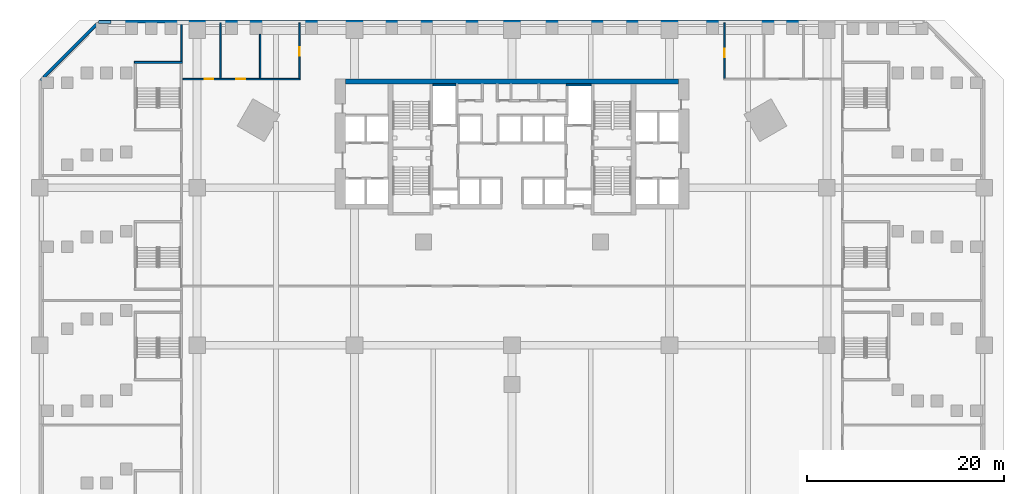
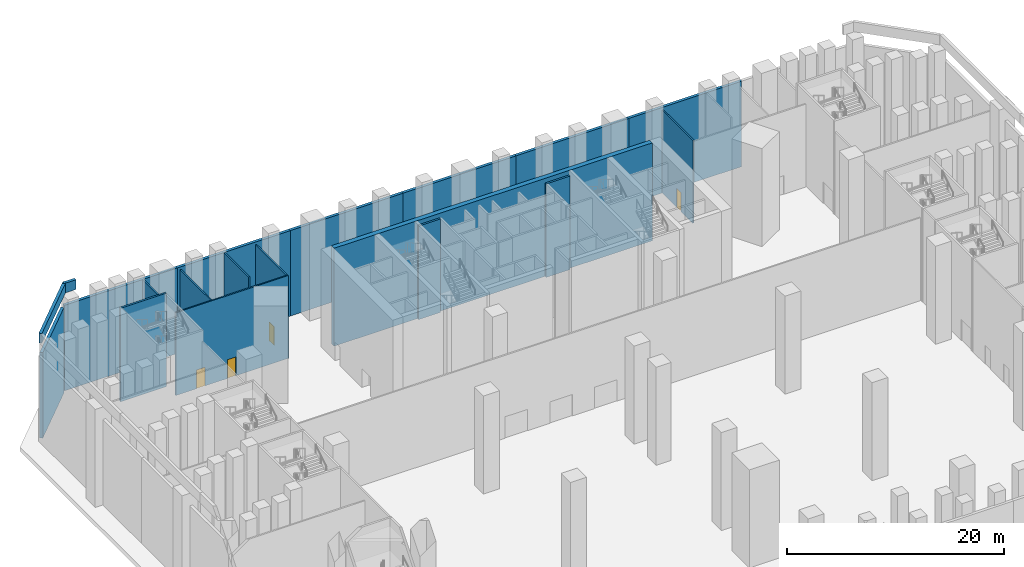
# One storey, part 11 of 31: 19 walls, 4 doors, 4 openings.
"""IFC4 building model written with IfcOpenShell, lengths in metres."""

from ifc_helpers import new_model, si_unit, direction, frame, frame_2d, origin, place, context, subcontext, project, spatial, rectangle, extrude, material, layer, layer_set, type_object, element, fill, save


model = new_model("IFC4")

# Units and contexts
model_context = context("Model", 3, precision=1e-05, world=origin(), true_north=direction((0.0, 1.0)))
body_context = subcontext(model_context, "Body", "Model", "MODEL_VIEW")
ifc_project = project(units=[si_unit("LENGTHUNIT", "METRE"), si_unit("AREAUNIT", "SQUARE_METRE"), si_unit("VOLUMEUNIT", "CUBIC_METRE"), si_unit("PLANEANGLEUNIT", "RADIAN"), si_unit("MASSUNIT", "GRAM", prefix="KILO")], contexts=[model_context])

# Site, building, storey
site_placement = place(None, origin())
site = spatial("IfcSite", under=ifc_project, at=site_placement, CompositionType="ELEMENT")
building_placement = place(site_placement, origin())
building = spatial("IfcBuilding", under=site, at=building_placement, Name="Calabash Gate Tower", CompositionType="ELEMENT")
storey_placement = place(building_placement, frame((0.0, 0.0, 9.0)))
storey = spatial("IfcBuildingStorey", under=building, at=storey_placement, Name="L01", CompositionType="ELEMENT", Elevation=9.0)

# Wall
ifc_material_1 = material(Name="Concrete C80/95", Category="concrete")
ifc_layer_1 = layer(ifc_material_1, 0.5)
ifc_layer_set_1 = layer_set([ifc_layer_1], Name="Core wall 500 Concrete C80/95")
wall_type_1 = type_object("IfcWallType", Name="Core wall 500 Concrete C80/95", PredefinedType="SHEAR", material=ifc_layer_set_1)
wall_1_placement = place(storey_placement, frame((-16.89990234375, 18.802490234375, 0.0), z_axis=(0.0, 0.0, 1.0), x_axis=(1.0, 0.0, 0.0)))
element("IfcWall", 1, at=wall_1_placement, inside=storey, type_object=wall_type_1, Name="Core wall Z0-N L01", PredefinedType="SHEAR", context=body_context, shape_type="SweptSolid", body=[
    extrude(rectangle(XDim=33.7998046875, YDim=0.5, at=frame_2d((16.89990234375, 0.0))), origin(), (0.0, 0.0, 1.0), 11.0),
])

# Wall, openings, doors
ifc_material_2 = material(Name="Gypsum board on steel studs, mineral wool", Category="steel")
ifc_layer_2 = layer(ifc_material_2, 0.14990234375)
ifc_layer_set_2 = layer_set([ifc_layer_2], Name="Partition 150 gypsum board")
wall_type_2 = type_object("IfcWallType", Name="Partition 150 gypsum board", PredefinedType="PARTITIONING", material=ifc_layer_set_2)
wall_2_placement = place(storey_placement, frame((-33.4599609375, 19.050048828125, 0.0), z_axis=(0.0, 0.0, 1.0), x_axis=(1.0, 0.0, 0.0)))
wall_2 = element("IfcWall", 2, at=wall_2_placement, inside=storey, type_object=wall_type_2, Name="Partition", PredefinedType="PARTITIONING", context=body_context, shape_type="SweptSolid", body=[
    extrude(rectangle(XDim=11.93505859375, YDim=0.14990234375, at=frame_2d((5.967529296875, 0.0))), origin(), (0.0, 0.0, 1.0), 9.300048828125),
])
opening_1_placement = place(wall_2_placement, frame((2.2109375, 0.0, 0.0)))
opening_1 = element("IfcOpeningElement", 3, at=opening_1_placement, cuts=wall_2, Name="Opening L01-038", PredefinedType="OPENING", context=body_context, shape_type="SweptSolid", body=[
    extrude(rectangle(XDim=0.89990234375, YDim=2.10009765625, at=frame_2d((0.449951171875, 1.050048828125))), frame((0.0, 0.0849609375, 0.0), z_axis=(0.0, -1.0, 0.0), x_axis=(1.0, 0.0, 0.0)), (0.0, 0.0, 1.0), 0.169921875),
])
opening_2_placement = place(wall_2_placement, frame((5.4599609375, 0.0, 0.0)))
opening_2 = element("IfcOpeningElement", 4, at=opening_2_placement, cuts=wall_2, Name="Opening L01-039", PredefinedType="OPENING", context=body_context, shape_type="SweptSolid", body=[
    extrude(rectangle(XDim=0.89990234375, YDim=2.10009765625, at=frame_2d((0.449951171875, 1.050048828125))), frame((0.0, 0.0849609375, 0.0), z_axis=(0.0, -1.0, 0.0), x_axis=(1.0, 0.0, 0.0)), (0.0, 0.0, 1.0), 0.169921875),
])
ifc_material_3 = material(Name="Steel fire door set with fire-resisting glazing", Category="steel")
door_type = type_object("IfcDoorType", Name="Fire door D13 900x2100 FD30", OperationType="NOTDEFINED", PredefinedType="DOOR", material=ifc_material_3)
door_1_placement = place(opening_1_placement, origin())
door_1 = element("IfcDoor", 5, at=door_1_placement, inside=storey, type_object=door_type, Name="Men's WC door", OperationType="SINGLE_SWING_LEFT", OverallHeight=2.10009765625, OverallWidth=0.89990234375, PredefinedType="DOOR", context=body_context, shape_type="SweptSolid", body=[
    extrude(rectangle(XDim=0.89990234375, YDim=2.10009765625, at=frame_2d((0.449951171875, 1.050048828125))), frame((0.0, 0.02490234375, 0.0), z_axis=(0.0, -1.0, 0.0), x_axis=(1.0, 0.0, 0.0)), (0.0, 0.0, 1.0), 0.050048828125),
])
fill(opening_1, door_1)
door_2_placement = place(opening_2_placement, origin())
door_2 = element("IfcDoor", 6, at=door_2_placement, inside=storey, type_object=door_type, Name="Women's WC door", OperationType="SINGLE_SWING_LEFT", OverallHeight=2.10009765625, OverallWidth=0.89990234375, PredefinedType="DOOR", context=body_context, shape_type="SweptSolid", body=[
    extrude(rectangle(XDim=0.89990234375, YDim=2.10009765625, at=frame_2d((0.449951171875, 1.050048828125))), frame((0.0, 0.02490234375, 0.0), z_axis=(0.0, -1.0, 0.0), x_axis=(1.0, 0.0, 0.0)), (0.0, 0.0, 1.0), 0.050048828125),
])
fill(opening_2, door_2)

# Walls
wall_3_placement = place(storey_placement, frame((-29.60009765625, 19.125, 0.0), z_axis=(0.0, 0.0, 1.0), x_axis=(0.0, 1.0, 0.0)))
element("IfcWall", 7, at=wall_3_placement, inside=storey, type_object=wall_type_2, Name="Partition", PredefinedType="PARTITIONING", context=body_context, shape_type="SweptSolid", body=[
    extrude(rectangle(XDim=5.64501953125, YDim=0.14990234375, at=frame_2d((2.822509765625, 0.0))), origin(), (0.0, 0.0, 1.0), 9.300048828125),
])
wall_4_placement = place(storey_placement, frame((-25.60009765625, 19.125, 0.0), z_axis=(0.0, 0.0, 1.0), x_axis=(0.0, 1.0, 0.0)))
element("IfcWall", 8, at=wall_4_placement, inside=storey, type_object=wall_type_2, Name="Partition", PredefinedType="PARTITIONING", context=body_context, shape_type="SweptSolid", body=[
    extrude(rectangle(XDim=4.47509765625, YDim=0.14990234375, at=frame_2d((2.237548828125, 0.0))), origin(), (0.0, 0.0, 1.0), 10.5),
])

# Wall, opening, door
wall_5_placement = place(storey_placement, frame((-21.60009765625, 19.125, 0.0), z_axis=(0.0, 0.0, 1.0), x_axis=(0.0, 1.0, 0.0)))
wall_5 = element("IfcWall", 9, at=wall_5_placement, inside=storey, type_object=wall_type_2, Name="Partition", PredefinedType="PARTITIONING", context=body_context, shape_type="SweptSolid", body=[
    extrude(rectangle(XDim=5.64501953125, YDim=0.14990234375, at=frame_2d((2.822509765625, 0.0))), origin(), (0.0, 0.0, 1.0), 9.300048828125),
])
opening_3_placement = place(wall_5_placement, frame((2.27490234375, 0.0, 0.0)))
opening_3 = element("IfcOpeningElement", 10, at=opening_3_placement, cuts=wall_5, Name="Opening L01-040", PredefinedType="OPENING", context=body_context, shape_type="SweptSolid", body=[
    extrude(rectangle(XDim=0.89990234375, YDim=2.10009765625, at=frame_2d((0.449951171875, 1.050048828125))), frame((0.0, 0.0849609375, 0.0), z_axis=(0.0, -1.0, 0.0), x_axis=(1.0, 0.0, 0.0)), (0.0, 0.0, 1.0), 0.169921875),
])
door_3_placement = place(opening_3_placement, origin())
door_3 = element("IfcDoor", 11, at=door_3_placement, inside=storey, type_object=door_type, Name="Accessible WC door", OperationType="SINGLE_SWING_RIGHT", OverallHeight=2.10009765625, OverallWidth=0.89990234375, PredefinedType="DOOR", context=body_context, shape_type="SweptSolid", body=[
    extrude(rectangle(XDim=0.89990234375, YDim=2.10009765625, at=frame_2d((0.449951171875, 1.050048828125))), frame((0.0, 0.02490234375, 0.0), z_axis=(0.0, -1.0, 0.0), x_axis=(1.0, 0.0, 0.0)), (0.0, 0.0, 1.0), 0.050048828125),
])
fill(opening_3, door_3)

wall_6_placement = place(storey_placement, frame((21.60009765625, 19.125, 0.0), z_axis=(0.0, 0.0, 1.0), x_axis=(0.0, 1.0, 0.0)))
wall_6 = element("IfcWall", 12, at=wall_6_placement, inside=storey, type_object=wall_type_2, Name="Partition", PredefinedType="PARTITIONING", context=body_context, shape_type="SweptSolid", body=[
    extrude(rectangle(XDim=5.64501953125, YDim=0.14990234375, at=frame_2d((2.822509765625, 0.0))), origin(), (0.0, 0.0, 1.0), 9.300048828125),
])
opening_4_placement = place(wall_6_placement, frame((2.125, 0.0, 0.0)))
opening_4 = element("IfcOpeningElement", 13, at=opening_4_placement, cuts=wall_6, Name="Opening L01-041", PredefinedType="OPENING", context=body_context, shape_type="SweptSolid", body=[
    extrude(rectangle(XDim=0.89990234375, YDim=2.10009765625, at=frame_2d((0.449951171875, 1.050048828125))), frame((0.0, 0.0849609375, 0.0), z_axis=(0.0, -1.0, 0.0), x_axis=(1.0, 0.0, 0.0)), (0.0, 0.0, 1.0), 0.169921875),
])
door_4_placement = place(opening_4_placement, origin())
door_4 = element("IfcDoor", 14, at=door_4_placement, inside=storey, type_object=door_type, Name="Men's WC door", OperationType="SINGLE_SWING_RIGHT", OverallHeight=2.10009765625, OverallWidth=0.89990234375, PredefinedType="DOOR", context=body_context, shape_type="SweptSolid", body=[
    extrude(rectangle(XDim=0.89990234375, YDim=2.10009765625, at=frame_2d((0.449951171875, 1.050048828125))), frame((0.0, 0.02490234375, 0.0), z_axis=(0.0, -1.0, 0.0), x_axis=(1.0, 0.0, 0.0)), (0.0, 0.0, 1.0), 0.050048828125),
])
fill(opening_4, door_4)

# Walls
wall_7_placement = place(storey_placement, frame((-33.60009765625, 20.889892578125, 0.0), z_axis=(0.0, 0.0, 1.0), x_axis=(0.0, 1.0, 0.0)))
element("IfcWall", 15, at=wall_7_placement, inside=storey, type_object=wall_type_2, Name="Partition", PredefinedType="PARTITIONING", context=body_context, shape_type="SweptSolid", body=[
    extrude(rectangle(XDim=3.880126953125, YDim=0.14990234375, at=frame_2d((1.93994140625, 0.0))), origin(), (0.0, 0.0, 1.0), 9.60009765625),
])
ifc_material_4 = material(Name="Terracotta brick masonry, exposed face", Category="masonry")
ifc_layer_3 = layer(ifc_material_4, 0.300048828125)
ifc_layer_set_3 = layer_set([ifc_layer_3], Name="Podium brick wall 300")
wall_type_3 = type_object("IfcWallType", Name="Podium brick wall 300", PredefinedType="SOLIDWALL", material=ifc_layer_set_3)
wall_8_placement = place(storey_placement, frame((29.96435546875, 24.89990234375, 0.0), z_axis=(0.0, 0.0, 1.0), x_axis=(-1.0, 0.0, 0.0)))
element("IfcWall", 16, at=wall_8_placement, inside=storey, type_object=wall_type_3, Name="Podium brick wall L01 4.0.1", PredefinedType="SOLIDWALL", context=body_context, shape_type="SweptSolid", body=[
    extrude(rectangle(XDim=11.98583984375, YDim=0.300048828125, at=frame_2d((5.992919921875, 0.0))), origin(), (0.0, 0.0, 1.0), 9.60009765625),
])
wall_9_placement = place(storey_placement, frame((17.978515625, 24.89990234375, 0.0), z_axis=(0.0, 0.0, 1.0), x_axis=(-1.0, 0.0, 0.0)))
element("IfcWall", 17, at=wall_9_placement, inside=storey, type_object=wall_type_3, Name="Podium brick wall L01 4.0.2", PredefinedType="SOLIDWALL", context=body_context, shape_type="SweptSolid", body=[
    extrude(rectangle(XDim=11.985595703125, YDim=0.300048828125, at=frame_2d((5.99267578125, 0.0))), origin(), (0.0, 0.0, 1.0), 9.60009765625),
])
wall_10_placement = place(storey_placement, frame((5.992919921875, 24.89990234375, 0.0), z_axis=(0.0, 0.0, 1.0), x_axis=(-1.0, 0.0, 0.0)))
element("IfcWall", 18, at=wall_10_placement, inside=storey, type_object=wall_type_3, Name="Podium brick wall L01 4.0.3", PredefinedType="SOLIDWALL", context=body_context, shape_type="SweptSolid", body=[
    extrude(rectangle(XDim=11.98583984375, YDim=0.300048828125, at=frame_2d((5.992919921875, 0.0))), origin(), (0.0, 0.0, 1.0), 9.60009765625),
])
wall_11_placement = place(storey_placement, frame((-5.992919921875, 24.89990234375, 0.0), z_axis=(0.0, 0.0, 1.0), x_axis=(-1.0, 0.0, 0.0)))
element("IfcWall", 19, at=wall_11_placement, inside=storey, type_object=wall_type_3, Name="Podium brick wall L01 4.0.4", PredefinedType="SOLIDWALL", context=body_context, shape_type="SweptSolid", body=[
    extrude(rectangle(XDim=11.985595703125, YDim=0.300048828125, at=frame_2d((5.99267578125, 0.0))), origin(), (0.0, 0.0, 1.0), 9.60009765625),
])
wall_12_placement = place(storey_placement, frame((-17.978515625, 24.89990234375, 0.0), z_axis=(0.0, 0.0, 1.0), x_axis=(-1.0, 0.0, 0.0)))
element("IfcWall", 20, at=wall_12_placement, inside=storey, type_object=wall_type_3, Name="Podium brick wall L01 4.0.5", PredefinedType="SOLIDWALL", context=body_context, shape_type="SweptSolid", body=[
    extrude(rectangle(XDim=11.98583984375, YDim=0.300048828125, at=frame_2d((5.992919921875, 0.0))), origin(), (0.0, 0.0, 1.0), 9.60009765625),
])
wall_13_placement = place(storey_placement, frame((-29.96435546875, 24.89990234375, 0.0), z_axis=(0.0, 0.0, 1.0), x_axis=(-1.0, 0.0, 0.0)))
element("IfcWall", 21, at=wall_13_placement, inside=storey, type_object=wall_type_3, Name="Podium brick wall L01 4.0.6", PredefinedType="SOLIDWALL", context=body_context, shape_type="SweptSolid", body=[
    extrude(rectangle(XDim=11.985595703125, YDim=0.300048828125, at=frame_2d((5.99267578125, 0.0))), origin(), (0.0, 0.0, 1.0), 9.60009765625),
])
wall_14_placement = place(storey_placement, frame((-42.27099609375, 24.587646484375, 0.0), z_axis=(0.0, 0.0, 1.0), x_axis=(-0.707106781187, -0.707106781187, 0.0)))
element("IfcWall", 22, at=wall_14_placement, inside=storey, type_object=wall_type_3, Name="Podium brick wall L01 5.0.0", PredefinedType="SOLIDWALL", context=body_context, shape_type="SweptSolid", body=[
    extrude(rectangle(XDim=7.518798828125, YDim=0.300048828125, at=frame_2d((3.75927734375, 0.0))), origin(), (0.0, 0.0, 1.0), 9.60009765625),
])
ifc_material_5 = material(Name="Terracotta brick masonry, exposed face", Category="masonry")
ifc_layer_4 = layer(ifc_material_5, 0.300048828125)
ifc_layer_set_4 = layer_set([ifc_layer_4], Name="Podium parapet wall 300")
wall_type_4 = type_object("IfcWallType", Name="Podium parapet wall 300", PredefinedType="PARAPET", material=ifc_layer_set_4)
wall_15_placement = place(storey_placement, frame((-40.75, 24.85009765625, 11.0), z_axis=(0.0, 0.0, 1.0), x_axis=(-1.0, 0.0, 0.0)))
element("IfcWall", 23, at=wall_15_placement, inside=storey, type_object=wall_type_4, Name="Podium parapet L01 4.1.0", PredefinedType="PARAPET", context=body_context, shape_type="SweptSolid", body=[
    extrude(rectangle(XDim=1.25, YDim=0.300048828125, at=frame_2d((0.625, 0.0))), origin(), (0.0, 0.0, 1.0), 1.10009765625),
])
wall_16_placement = place(storey_placement, frame((-42.04248046875, 24.745361328125, 11.0), z_axis=(0.0, 0.0, 1.0), x_axis=(-0.7071215324, -0.707092029666, 0.0)))
element("IfcWall", 24, at=wall_16_placement, inside=storey, type_object=wall_type_4, Name="Podium parapet L01 5.0.0", PredefinedType="PARAPET", context=body_context, shape_type="SweptSolid", body=[
    extrude(rectangle(XDim=8.275146484375, YDim=0.300048828125, at=frame_2d((4.1376953125, 0.0))), origin(), (0.0, 0.0, 1.0), 1.10009765625),
])
ifc_material_6 = material(Name="Concrete C40/50", Category="concrete")
ifc_layer_5 = layer(ifc_material_6, 0.199951171875)
ifc_layer_set_5 = layer_set([ifc_layer_5], Name="Shaft wall 200 Concrete C40/50")
wall_type_5 = type_object("IfcWallType", Name="Shaft wall 200 Concrete C40/50", PredefinedType="SOLIDWALL", material=ifc_layer_set_5)
wall_17_placement = place(storey_placement, frame((-8.050048828125, 18.45263671875, 0.0), z_axis=(0.0, 0.0, 1.0), x_axis=(1.0, 0.0, 0.0)))
element("IfcWall", 25, at=wall_17_placement, inside=storey, type_object=wall_type_5, Name="Shaft wall", PredefinedType="SOLIDWALL", context=body_context, shape_type="SweptSolid", body=[
    extrude(rectangle(XDim=2.35009765625, YDim=0.199951171875, at=frame_2d((1.175048828125, 0.0))), origin(), (0.0, 0.0, 1.0), 10.5),
])
wall_18_placement = place(storey_placement, frame((5.5, 18.45263671875, 0.0), z_axis=(0.0, 0.0, 1.0), x_axis=(1.0, 0.0, 0.0)))
element("IfcWall", 26, at=wall_18_placement, inside=storey, type_object=wall_type_5, Name="Shaft wall", PredefinedType="SOLIDWALL", context=body_context, shape_type="SweptSolid", body=[
    extrude(rectangle(XDim=2.550048828125, YDim=0.199951171875, at=frame_2d((1.27490234375, 0.0))), origin(), (0.0, 0.0, 1.0), 10.5),
])
ifc_material_7 = material(Name="Concrete C40/50", Category="concrete")
ifc_layer_6 = layer(ifc_material_7, 0.199951171875)
ifc_layer_set_6 = layer_set([ifc_layer_6], Name="Stair wall 200 Concrete C40/50")
wall_type_6 = type_object("IfcWallType", Name="Stair wall 200 Concrete C40/50", PredefinedType="SOLIDWALL", material=ifc_layer_set_6)
wall_19_placement = place(storey_placement, frame((-38.3701171875, 20.75, 0.0), z_axis=(0.0, 0.0, 1.0), x_axis=(1.0, 0.0, 0.0)))
element("IfcWall", 27, at=wall_19_placement, inside=storey, type_object=wall_type_6, Name="Stair wall", PredefinedType="SOLIDWALL", context=body_context, shape_type="SweptSolid", body=[
    extrude(rectangle(XDim=4.8701171875, YDim=0.199951171875, at=frame_2d((2.43505859375, 0.0))), origin(), (0.0, 0.0, 1.0), 10.5),
])

save(model, "model.ifc")
